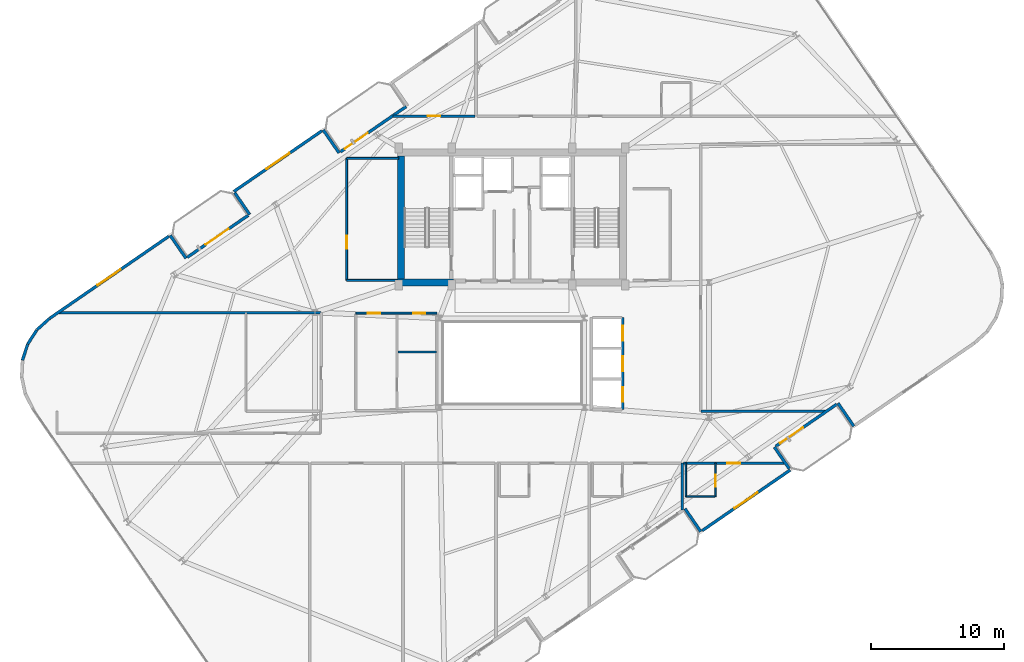
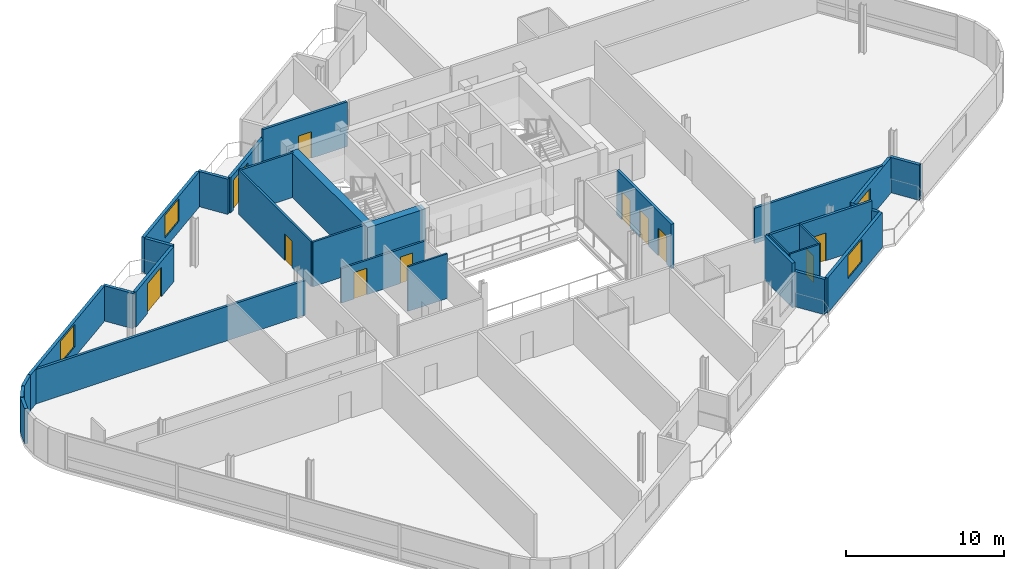
# One storey, part 15 of 21: 31 walls, 12 doors, 3 windows, 15 openings.
"""IFC4 building model written with IfcOpenShell, lengths in metres."""

from ifc_helpers import new_model, si_unit, direction, frame, frame_2d, origin, place, context, subcontext, project, spatial, rectangle, extrude, material, layer, layer_set, type_object, element, fill, save


model = new_model("IFC4")

# Units and contexts
model_context = context("Model", 3, precision=1e-05, world=origin(), true_north=direction((0.0, 1.0)))
body_context = subcontext(model_context, "Body", "Model", "MODEL_VIEW")
ifc_project = project(units=[si_unit("LENGTHUNIT", "METRE"), si_unit("AREAUNIT", "SQUARE_METRE"), si_unit("VOLUMEUNIT", "CUBIC_METRE"), si_unit("PLANEANGLEUNIT", "RADIAN"), si_unit("MASSUNIT", "GRAM", prefix="KILO")], contexts=[model_context])

# Site, building, storey
site_placement = place(None, origin())
site = spatial("IfcSite", under=ifc_project, at=site_placement, CompositionType="ELEMENT")
building_placement = place(site_placement, origin())
building = spatial("IfcBuilding", under=site, at=building_placement, Name="Varnelok Gate Tower", CompositionType="ELEMENT")
storey_placement = place(building_placement, frame((0.0, 0.0, 265.60009765625)))
storey = spatial("IfcBuildingStorey", under=building, at=storey_placement, Name="L68", CompositionType="ELEMENT", Elevation=265.60009765625)

# Wall, opening, door
ifc_material_1 = material(Name="Concrete C45/55", Category="concrete")
ifc_layer_1 = layer(ifc_material_1, 0.219970703125)
ifc_layer_set_1 = layer_set([ifc_layer_1], Name="Concrete C45/55")
wall_type_1 = type_object("IfcWallType", Name="EW-BALC-220", PredefinedType="SOLIDWALL", material=ifc_layer_set_1)
wall_1_placement = place(storey_placement, frame((63.60498046875, 19.780029296875, 0.0), z_axis=(0.0, 0.0, 1.0), x_axis=(-0.823541290762, -0.567256328665, 0.0)))
wall_1 = element("IfcWall", 1, at=wall_1_placement, inside=storey, type_object=wall_type_1, Name="L68 South Terrace Envelope Wall 3", PredefinedType="SOLIDWALL", context=body_context, shape_type="SweptSolid", body=[
    extrude(rectangle(XDim=5.567138671875, YDim=0.219970703125, at=frame_2d((2.78369140625, 0.0))), origin(), (0.0, 0.0, 1.0), 2.72998046875),
])
opening_1_placement = place(wall_1_placement, frame((3.067138671875, 0.0, 0.0)))
opening_1 = element("IfcOpeningElement", 2, at=opening_1_placement, cuts=wall_1, Name="Opening BD-2", PredefinedType="OPENING", context=body_context, shape_type="SweptSolid", body=[
    extrude(rectangle(XDim=2.10009765625, YDim=2.300048828125, at=frame_2d((1.050048828125, 1.14990234375))), frame((0.0, 0.119873046875, 0.0), z_axis=(0.0, -1.0, 0.0), x_axis=(1.0, 0.0, 0.0)), (0.0, 0.0, 1.0), 0.239990234375),
])
ifc_material_2 = material(Name="Anodized Aluminum Alloy 6063-T6", Category="aluminium")
door_type_1 = type_object("IfcDoorType", Name="DR-EXT-SLID2100", OperationType="SLIDING_TO_LEFT", PredefinedType="DOOR", material=ifc_material_2)
door_1_placement = place(opening_1_placement, origin())
door_1 = element("IfcDoor", 3, at=door_1_placement, inside=storey, type_object=door_type_1, Name="L68 South Balcony Glazed Door 3", OperationType="SLIDING_TO_LEFT", OverallHeight=2.300048828125, OverallWidth=2.10009765625, PredefinedType="DOOR", context=body_context, shape_type="SweptSolid", body=[
    extrude(rectangle(XDim=2.10009765625, YDim=2.300048828125, at=frame_2d((1.050048828125, 1.14990234375))), frame((0.0, 0.02490234375, 0.0), z_axis=(0.0, -1.0, 0.0), x_axis=(1.0, 0.0, 0.0)), (0.0, 0.0, 1.0), 0.050048828125),
])
fill(opening_1, door_1)

wall_2_placement = place(storey_placement, frame((14.794921875, 30.81982421875, 0.0), z_axis=(0.0, 0.0, 1.0), x_axis=(0.823541290762, 0.567256328665, 0.0)))
wall_2 = element("IfcWall", 4, at=wall_2_placement, inside=storey, type_object=wall_type_1, Name="L68 North Terrace Envelope Wall 4", PredefinedType="SOLIDWALL", context=body_context, shape_type="SweptSolid", body=[
    extrude(rectangle(XDim=5.567138671875, YDim=0.219970703125, at=frame_2d((2.78369140625, 0.0))), origin(), (0.0, 0.0, 1.0), 2.72998046875),
])
opening_2_placement = place(wall_2_placement, frame((1.68017578125, 0.0, 0.0)))
opening_2 = element("IfcOpeningElement", 5, at=opening_2_placement, cuts=wall_2, Name="Opening BD-2", PredefinedType="OPENING", context=body_context, shape_type="SweptSolid", body=[
    extrude(rectangle(XDim=2.10009765625, YDim=2.300048828125, at=frame_2d((1.050048828125, 1.14990234375))), frame((0.0, 0.119873046875, 0.0), z_axis=(0.0, -1.0, 0.0), x_axis=(1.0, 0.0, 0.0)), (0.0, 0.0, 1.0), 0.239990234375),
])
door_2_placement = place(opening_2_placement, origin())
door_2 = element("IfcDoor", 6, at=door_2_placement, inside=storey, type_object=door_type_1, Name="L68 North Balcony Glazed Door 4", OperationType="SLIDING_TO_LEFT", OverallHeight=2.300048828125, OverallWidth=2.10009765625, PredefinedType="DOOR", context=body_context, shape_type="SweptSolid", body=[
    extrude(rectangle(XDim=2.10009765625, YDim=2.300048828125, at=frame_2d((1.050048828125, 1.14990234375))), frame((0.0, 0.02490234375, 0.0), z_axis=(0.0, -1.0, 0.0), x_axis=(1.0, 0.0, 0.0)), (0.0, 0.0, 1.0), 0.050048828125),
])
fill(opening_2, door_2)

wall_3_placement = place(storey_placement, frame((26.29736328125, 38.742919921875, 0.0), z_axis=(0.0, 0.0, 1.0), x_axis=(0.823534636215, 0.567265989598, 0.0)))
wall_3 = element("IfcWall", 7, at=wall_3_placement, inside=storey, type_object=wall_type_1, Name="L68 North Terrace Envelope Wall 5", PredefinedType="SOLIDWALL", context=body_context, shape_type="SweptSolid", body=[
    extrude(rectangle(XDim=6.0, YDim=0.219970703125, at=frame_2d((3.0, 0.0))), origin(), (0.0, 0.0, 1.0), 2.72998046875),
])
opening_3_placement = place(wall_3_placement, frame((0.39990234375, 0.0, 0.0)))
opening_3 = element("IfcOpeningElement", 8, at=opening_3_placement, cuts=wall_3, Name="Opening BD-2", PredefinedType="OPENING", context=body_context, shape_type="SweptSolid", body=[
    extrude(rectangle(XDim=2.10009765625, YDim=2.300048828125, at=frame_2d((1.050048828125, 1.14990234375))), frame((0.0, 0.119873046875, 0.0), z_axis=(0.0, -1.0, 0.0), x_axis=(1.0, 0.0, 0.0)), (0.0, 0.0, 1.0), 0.239990234375),
])
door_3_placement = place(opening_3_placement, origin())
door_3 = element("IfcDoor", 9, at=door_3_placement, inside=storey, type_object=door_type_1, Name="L68 North Balcony Glazed Door 5", OperationType="SLIDING_TO_LEFT", OverallHeight=2.300048828125, OverallWidth=2.10009765625, PredefinedType="DOOR", context=body_context, shape_type="SweptSolid", body=[
    extrude(rectangle(XDim=2.10009765625, YDim=2.300048828125, at=frame_2d((1.050048828125, 1.14990234375))), frame((0.0, 0.02490234375, 0.0), z_axis=(0.0, -1.0, 0.0), x_axis=(1.0, 0.0, 0.0)), (0.0, 0.0, 1.0), 0.050048828125),
])
fill(opening_3, door_3)

# Wall
wall_4_placement = place(storey_placement, frame((52.19580078125, 11.933349609375, 0.0), z_axis=(0.0, 0.0, 1.0), x_axis=(0.56729822855, -0.823512428494, 0.0)))
element("IfcWall", 10, at=wall_4_placement, inside=storey, type_object=wall_type_1, Name="L68 Perimeter Facade Closure Wall 12", PredefinedType="SOLIDWALL", context=body_context, shape_type="SweptSolid", body=[
    extrude(rectangle(XDim=2.10009765625, YDim=0.219970703125, at=frame_2d((1.050048828125, 0.0))), origin(), (0.0, 0.0, 1.0), 2.72998046875),
])

# Wall, opening, window
wall_5_placement = place(storey_placement, frame((53.489990234375, 10.27490234375, 0.0), z_axis=(0.0, 0.0, 1.0), x_axis=(0.823530942962, 0.56727135128, 0.0)))
wall_5 = element("IfcWall", 11, at=wall_5_placement, inside=storey, type_object=wall_type_1, Name="L68 Perimeter Facade Closure Wall 13", PredefinedType="SOLIDWALL", context=body_context, shape_type="SweptSolid", body=[
    extrude(rectangle(XDim=8.03515625, YDim=0.219970703125, at=frame_2d((4.017578125, 0.0))), origin(), (0.0, 0.0, 1.0), 2.72998046875),
])
opening_4_placement = place(wall_5_placement, frame((2.967529296875, 0.0, 0.800048828125)))
opening_4 = element("IfcOpeningElement", 12, at=opening_4_placement, cuts=wall_5, Name="Opening WN4", PredefinedType="OPENING", context=body_context, shape_type="SweptSolid", body=[
    extrude(rectangle(XDim=2.10009765625, YDim=1.75, at=frame_2d((1.050048828125, 0.875))), frame((0.0, 0.119873046875, 0.0), z_axis=(0.0, -1.0, 0.0), x_axis=(1.0, 0.0, 0.0)), (0.0, 0.0, 1.0), 0.239990234375),
])
ifc_material_3 = material(Name="Low-E Laminated Double Glazing IGU", Category="glass")
window_type = type_object("IfcWindowType", Name="WN-SUI-2100", PartitioningType="SINGLE_PANEL", PredefinedType="WINDOW", material=ifc_material_3)
window_1_placement = place(opening_4_placement, origin())
window_1 = element("IfcWindow", 13, at=window_1_placement, inside=storey, type_object=window_type, Name="L68 Perimeter Vision Window 13", OverallHeight=1.75, OverallWidth=2.10009765625, PartitioningType="SINGLE_PANEL", PredefinedType="WINDOW", context=body_context, shape_type="SweptSolid", body=[
    extrude(rectangle(XDim=2.10009765625, YDim=1.75, at=frame_2d((1.050048828125, 0.875))), frame((0.0, 0.030029296875, 0.0), z_axis=(0.0, -1.0, 0.0), x_axis=(1.0, 0.0, 0.0)), (0.0, 0.0, 1.0), 0.06005859375),
])
fill(opening_4, window_1)

# Walls
wall_6_placement = place(storey_placement, frame((60.0361328125, 14.935791015625, 0.0), z_axis=(0.0, 0.0, 1.0), x_axis=(-0.567273565974, 0.823529417415, 0.0)))
element("IfcWall", 14, at=wall_6_placement, inside=storey, type_object=wall_type_1, Name="L68 Perimeter Facade Closure Wall 14", PredefinedType="SOLIDWALL", context=body_context, shape_type="SweptSolid", body=[
    extrude(rectangle(XDim=1.97509765625, YDim=0.219970703125, at=frame_2d((0.987548828125, 0.0))), origin(), (0.0, 0.0, 1.0), 2.72998046875),
])
for number, where, z_axis, x_axis, name in (
    (15, (63.6982421875, 19.8564453125, 0.0), (0.0, 0.0, 1.0), (0.567219383419, -0.823566737474, 0.0), "L68 Perimeter Facade Closure Wall 15"),
    (16, (26.2041015625, 38.66650390625, 0.0), (0.0, 0.0, 1.0), (-0.567219383419, 0.823566737474, 0.0), "L68 Perimeter Facade Closure Wall 34"),
):
    element("IfcWall", number, at=place(storey_placement, frame(where, z_axis=z_axis, x_axis=x_axis)), inside=storey, type_object=wall_type_1, Name=name, PredefinedType="SOLIDWALL", context=body_context, shape_type="SweptSolid", body=[
        extrude(rectangle(XDim=2.10009765625, YDim=0.219970703125, at=frame_2d((1.050048828125, 0.0))), origin(), (0.0, 0.0, 1.0), 2.72998046875),
    ])

# Wall, opening, window
wall_7_placement = place(storey_placement, frame((24.909912109375, 40.3251953125, 0.0), z_axis=(0.0, 0.0, 1.0), x_axis=(-0.823521165086, -0.56728554596, 0.0)))
wall_7 = element("IfcWall", 17, at=wall_7_placement, inside=storey, type_object=wall_type_1, Name="L68 Perimeter Facade Closure Wall 35", PredefinedType="SOLIDWALL", context=body_context, shape_type="SweptSolid", body=[
    extrude(rectangle(XDim=8.034912109375, YDim=0.219970703125, at=frame_2d((4.017578125, 0.0))), origin(), (0.0, 0.0, 1.0), 2.72998046875),
])
opening_5_placement = place(wall_7_placement, frame((2.967529296875, 0.0, 0.800048828125)))
opening_5 = element("IfcOpeningElement", 18, at=opening_5_placement, cuts=wall_7, Name="Opening WN4", PredefinedType="OPENING", context=body_context, shape_type="SweptSolid", body=[
    extrude(rectangle(XDim=2.10009765625, YDim=1.75, at=frame_2d((1.050048828125, 0.875))), frame((0.0, 0.119873046875, 0.0), z_axis=(0.0, -1.0, 0.0), x_axis=(1.0, 0.0, 0.0)), (0.0, 0.0, 1.0), 0.239990234375),
])
window_2_placement = place(opening_5_placement, origin())
window_2 = element("IfcWindow", 19, at=window_2_placement, inside=storey, type_object=window_type, Name="L68 Perimeter Vision Window 35", OverallHeight=1.75, OverallWidth=2.10009765625, PartitioningType="SINGLE_PANEL", PredefinedType="WINDOW", context=body_context, shape_type="SweptSolid", body=[
    extrude(rectangle(XDim=2.10009765625, YDim=1.75, at=frame_2d((1.050048828125, 0.875))), frame((0.0, 0.030029296875, 0.0), z_axis=(0.0, -1.0, 0.0), x_axis=(1.0, 0.0, 0.0)), (0.0, 0.0, 1.0), 0.06005859375),
])
fill(opening_5, window_2)

# Walls
wall_8_placement = place(storey_placement, frame((18.36376953125, 35.664306640625, 0.0), z_axis=(0.0, 0.0, 1.0), x_axis=(0.567215821234, -0.823569190865, 0.0)))
element("IfcWall", 20, at=wall_8_placement, inside=storey, type_object=wall_type_1, Name="L68 Perimeter Facade Closure Wall 36", PredefinedType="SOLIDWALL", context=body_context, shape_type="SweptSolid", body=[
    extrude(rectangle(XDim=1.97509765625, YDim=0.219970703125, at=frame_2d((0.987548828125, 0.0))), origin(), (0.0, 0.0, 1.0), 2.72998046875),
])
wall_9_placement = place(storey_placement, frame((14.701904296875, 30.74365234375, 0.0), z_axis=(0.0, 0.0, 1.0), x_axis=(-0.567352541689, 0.823475010816, 0.0)))
element("IfcWall", 21, at=wall_9_placement, inside=storey, type_object=wall_type_1, Name="L68 Perimeter Facade Closure Wall 37", PredefinedType="SOLIDWALL", context=body_context, shape_type="SweptSolid", body=[
    extrude(rectangle(XDim=2.099853515625, YDim=0.219970703125, at=frame_2d((1.0498046875, 0.0))), origin(), (0.0, 0.0, 1.0), 2.72998046875),
])

# Wall, opening, window
wall_10_placement = place(storey_placement, frame((13.40771484375, 32.402099609375, 0.0), z_axis=(0.0, 0.0, 1.0), x_axis=(-0.823527634633, -0.567276154087, 0.0)))
wall_10 = element("IfcWall", 22, at=wall_10_placement, inside=storey, type_object=wall_type_1, Name="L68 Perimeter Facade Closure Wall 38", PredefinedType="SOLIDWALL", context=body_context, shape_type="SweptSolid", body=[
    extrude(rectangle(XDim=10.88037109375, YDim=0.219970703125, at=frame_2d((5.440185546875, 0.0))), origin(), (0.0, 0.0, 1.0), 2.72998046875),
])
opening_6_placement = place(wall_10_placement, frame((4.39013671875, 0.0, 0.800048828125)))
opening_6 = element("IfcOpeningElement", 23, at=opening_6_placement, cuts=wall_10, Name="Opening WN4", PredefinedType="OPENING", context=body_context, shape_type="SweptSolid", body=[
    extrude(rectangle(XDim=2.10009765625, YDim=1.75, at=frame_2d((1.050048828125, 0.875))), frame((0.0, 0.119873046875, 0.0), z_axis=(0.0, -1.0, 0.0), x_axis=(1.0, 0.0, 0.0)), (0.0, 0.0, 1.0), 0.239990234375),
])
window_3_placement = place(opening_6_placement, origin())
window_3 = element("IfcWindow", 24, at=window_3_placement, inside=storey, type_object=window_type, Name="L68 Perimeter Vision Window 38", OverallHeight=1.75, OverallWidth=2.10009765625, PartitioningType="SINGLE_PANEL", PredefinedType="WINDOW", context=body_context, shape_type="SweptSolid", body=[
    extrude(rectangle(XDim=2.10009765625, YDim=1.75, at=frame_2d((1.050048828125, 0.875))), frame((0.0, 0.030029296875, 0.0), z_axis=(0.0, -1.0, 0.0), x_axis=(1.0, 0.0, 0.0)), (0.0, 0.0, 1.0), 0.06005859375),
])
fill(opening_6, window_3)

# Walls
wall_11_placement = place(storey_placement, frame((4.428955078125, 26.21337890625, 0.0), z_axis=(0.0, 0.0, 1.0), x_axis=(-0.742414330744, -0.669941013453, 0.0)))
element("IfcWall", 25, at=wall_11_placement, inside=storey, type_object=wall_type_1, Name="L68 Perimeter Facade Closure Wall 39", PredefinedType="SOLIDWALL", context=body_context, shape_type="SweptSolid", body=[
    extrude(rectangle(XDim=1.256591796875, YDim=0.219970703125, at=frame_2d((0.62841796875, 0.0))), origin(), (0.0, 0.0, 1.0), 2.72998046875),
])
for number, where, z_axis, x_axis, name in (
    (26, (3.482421875, 25.3505859375, 0.0), (0.0, 0.0, 1.0), (-0.543778157277, -0.839229000731, 0.0), "L68 Perimeter Facade Closure Wall 40"),
    (27, (2.7958984375, 24.27880859375, 0.0), (0.0, 0.0, 1.0), (-0.30817950344, -0.951328226039, 0.0), "L68 Perimeter Facade Closure Wall 41"),
):
    element("IfcWall", number, at=place(storey_placement, frame(where, z_axis=z_axis, x_axis=x_axis)), inside=storey, type_object=wall_type_1, Name=name, PredefinedType="SOLIDWALL", context=body_context, shape_type="SweptSolid", body=[
        extrude(rectangle(XDim=1.24853515625, YDim=0.219970703125, at=frame_2d((0.624267578125, 0.0))), origin(), (0.0, 0.0, 1.0), 2.72998046875),
    ])

# Wall, opening, door
ifc_material_4 = material(Name="Gypsum Plasterboard Acoustic Partition", Category="gypsum")
ifc_layer_2 = layer(ifc_material_4, 0.179931640625)
ifc_layer_set_2 = layer_set([ifc_layer_2], Name="Gypsum Plasterboard Acoustic Partition")
wall_type_2 = type_object("IfcWallType", Name="PW-CORR-180", PredefinedType="PARTITIONING", material=ifc_layer_set_2)
wall_12_placement = place(storey_placement, frame((52.080078125, 15.35009765625, 0.0), z_axis=(0.0, 0.0, 1.0), x_axis=(1.0, 0.0, 0.0)))
wall_12 = element("IfcWall", 28, at=wall_12_placement, inside=storey, type_object=wall_type_2, Name="Interior Partition", PredefinedType="PARTITIONING", context=body_context, shape_type="SweptSolid", body=[
    extrude(rectangle(XDim=7.646484375, YDim=0.179931640625, at=frame_2d((3.8232421875, 0.0))), origin(), (0.0, 0.0, 1.0), 3.449951171875),
])
opening_7_placement = place(wall_12_placement, frame((3.31103515625, 0.0, 0.0)))
opening_7 = element("IfcOpeningElement", 29, at=opening_7_placement, cuts=wall_12, Name="Opening D-HT", PredefinedType="OPENING", context=body_context, shape_type="SweptSolid", body=[
    extrude(rectangle(XDim=0.949951171875, YDim=2.14990234375, at=frame_2d((0.47509765625, 1.074951171875))), frame((0.0, 0.099853515625, 0.0), z_axis=(0.0, -1.0, 0.0), x_axis=(1.0, 0.0, 0.0)), (0.0, 0.0, 1.0), 0.199951171875),
])
ifc_material_5 = material(Name="Engineered Hardwood Timber", Category="wood")
door_type_2 = type_object("IfcDoorType", Name="DR-HTL-950", OperationType="NOTDEFINED", PredefinedType="DOOR", material=ifc_material_5)
door_4_placement = place(opening_7_placement, origin())
door_4 = element("IfcDoor", 30, at=door_4_placement, inside=storey, type_object=door_type_2, Name="L68 Guest Room 06 Entrance Door", OperationType="SINGLE_SWING_LEFT", OverallHeight=2.14990234375, OverallWidth=0.949951171875, PredefinedType="DOOR", context=body_context, shape_type="SweptSolid", body=[
    extrude(rectangle(XDim=0.949951171875, YDim=2.14990234375, at=frame_2d((0.47509765625, 1.074951171875))), frame((0.0, 0.02490234375, 0.0), z_axis=(0.0, -1.0, 0.0), x_axis=(1.0, 0.0, 0.0)), (0.0, 0.0, 1.0), 0.050048828125),
])
fill(opening_7, door_4)

wall_13_placement = place(storey_placement, frame((30.251220703125, 41.429931640625, 0.0), z_axis=(0.0, 0.0, 1.0), x_axis=(1.0, 0.0, 0.0)))
wall_13 = element("IfcWall", 31, at=wall_13_placement, inside=storey, type_object=wall_type_2, Name="Interior Partition", PredefinedType="PARTITIONING", context=body_context, shape_type="SweptSolid", body=[
    extrude(rectangle(XDim=6.168701171875, YDim=0.179931640625, at=frame_2d((3.08447265625, 0.0))), origin(), (0.0, 0.0, 1.0), 3.449951171875),
])
opening_8_placement = place(wall_13_placement, frame((2.609375, 0.0, 0.0)))
opening_8 = element("IfcOpeningElement", 32, at=opening_8_placement, cuts=wall_13, Name="Opening D-I2", PredefinedType="OPENING", context=body_context, shape_type="SweptSolid", body=[
    extrude(rectangle(XDim=0.949951171875, YDim=2.050048828125, at=frame_2d((0.47509765625, 1.02490234375))), frame((0.0, 0.099853515625, 0.0), z_axis=(0.0, -1.0, 0.0), x_axis=(1.0, 0.0, 0.0)), (0.0, 0.0, 1.0), 0.199951171875),
])
door_type_3 = type_object("IfcDoorType", Name="DR-INT-950", OperationType="NOTDEFINED", PredefinedType="DOOR", material=ifc_material_5)
door_5_placement = place(opening_8_placement, origin())
door_5 = element("IfcDoor", 33, at=door_5_placement, inside=storey, type_object=door_type_3, Name="L68 Private Owners Horizon Club Door", OperationType="SINGLE_SWING_LEFT", OverallHeight=2.050048828125, OverallWidth=0.949951171875, PredefinedType="DOOR", context=body_context, shape_type="SweptSolid", body=[
    extrude(rectangle(XDim=0.949951171875, YDim=2.050048828125, at=frame_2d((0.47509765625, 1.02490234375))), frame((0.0, 0.02490234375, 0.0), z_axis=(0.0, -1.0, 0.0), x_axis=(1.0, 0.0, 0.0)), (0.0, 0.0, 1.0), 0.050048828125),
])
fill(opening_8, door_5)

# Walls
wall_14_placement = place(storey_placement, frame((5.10693359375, 26.659912109375, 0.0), z_axis=(0.0, 0.0, 1.0), x_axis=(1.0, 0.0, 0.0)))
element("IfcWall", 34, at=wall_14_placement, inside=storey, type_object=wall_type_2, Name="Interior Partition", PredefinedType="PARTITIONING", context=body_context, shape_type="SweptSolid", body=[
    extrude(rectangle(XDim=19.7431640625, YDim=0.179931640625, at=frame_2d((9.87158203125, 0.0))), origin(), (0.0, 0.0, 1.0), 2.661865234375),
])
wall_15_placement = place(storey_placement, frame((53.389892578125, 19.239990234375, 0.0), z_axis=(0.0, 0.0, 1.0), x_axis=(1.0, 0.0, 0.0)))
element("IfcWall", 35, at=wall_15_placement, inside=storey, type_object=wall_type_2, Name="Interior Partition", PredefinedType="PARTITIONING", context=body_context, shape_type="SweptSolid", body=[
    extrude(rectangle(XDim=9.378173828125, YDim=0.179931640625, at=frame_2d((4.68896484375, 0.0))), origin(), (0.0, 0.0, 1.0), 2.739013671875),
])
ifc_layer_3 = layer(ifc_material_4, 0.114990234375)
ifc_layer_set_3 = layer_set([ifc_layer_3], Name="Gypsum Plasterboard Acoustic Partition")
wall_type_3 = type_object("IfcWallType", Name="PW-ENS-125", PredefinedType="PARTITIONING", material=ifc_layer_set_3)
wall_16_placement = place(storey_placement, frame((52.300048828125, 12.830078125, 0.0), z_axis=(0.0, 0.0, 1.0), x_axis=(1.0, 0.0, 0.0)))
element("IfcWall", 36, at=wall_16_placement, inside=storey, type_object=wall_type_3, Name="Interior Partition", PredefinedType="PARTITIONING", context=body_context, shape_type="SweptSolid", body=[
    extrude(rectangle(XDim=2.14990234375, YDim=0.114990234375, at=frame_2d((1.074951171875, 0.0))), origin(), (0.0, 0.0, 1.0), 3.449951171875),
])

# Wall, opening, door
wall_17_placement = place(storey_placement, frame((54.489990234375, 12.830078125, 0.0), z_axis=(0.0, 0.0, 1.0), x_axis=(0.0, 1.0, 0.0)))
wall_17 = element("IfcWall", 37, at=wall_17_placement, inside=storey, type_object=wall_type_3, Name="Interior Partition", PredefinedType="PARTITIONING", context=body_context, shape_type="SweptSolid", body=[
    extrude(rectangle(XDim=2.52001953125, YDim=0.114990234375, at=frame_2d((1.260009765625, 0.0))), origin(), (0.0, 0.0, 1.0), 3.449951171875),
])
opening_9_placement = place(wall_17_placement, frame((0.760009765625, 0.0, 0.0)))
opening_9 = element("IfcOpeningElement", 38, at=opening_9_placement, cuts=wall_17, Name="Opening D-WC", PredefinedType="OPENING", context=body_context, shape_type="SweptSolid", body=[
    extrude(rectangle(XDim=0.89990234375, YDim=2.050048828125, at=frame_2d((0.449951171875, 1.02490234375))), frame((0.0, 0.0673828125, 0.0), z_axis=(0.0, -1.0, 0.0), x_axis=(1.0, 0.0, 0.0)), (0.0, 0.0, 1.0), 0.135009765625),
])
door_type_4 = type_object("IfcDoorType", Name="DR-BATH-900", OperationType="NOTDEFINED", PredefinedType="DOOR", material=ifc_material_5)
door_6_placement = place(opening_9_placement, origin())
door_6 = element("IfcDoor", 39, at=door_6_placement, inside=storey, type_object=door_type_4, Name="L68 Guest En-Suite 06 Door", OperationType="SINGLE_SWING_LEFT", OverallHeight=2.050048828125, OverallWidth=0.89990234375, PredefinedType="DOOR", context=body_context, shape_type="SweptSolid", body=[
    extrude(rectangle(XDim=0.89990234375, YDim=2.050048828125, at=frame_2d((0.449951171875, 1.02490234375))), frame((0.0, 0.02490234375, 0.0), z_axis=(0.0, -1.0, 0.0), x_axis=(1.0, 0.0, 0.0)), (0.0, 0.0, 1.0), 0.050048828125),
])
fill(opening_9, door_6)

# Walls
wall_18_placement = place(storey_placement, frame((52.260009765625, 12.830078125, 0.0), z_axis=(0.0, 0.0, 1.0), x_axis=(0.0, 1.0, 0.0)))
element("IfcWall", 40, at=wall_18_placement, inside=storey, type_object=wall_type_3, Name="Interior Partition", PredefinedType="PARTITIONING", context=body_context, shape_type="SweptSolid", body=[
    extrude(rectangle(XDim=2.52001953125, YDim=0.114990234375, at=frame_2d((1.260009765625, 0.0))), origin(), (0.0, 0.0, 1.0), 3.449951171875),
])
ifc_layer_4 = layer(ifc_material_4, 0.125)
ifc_layer_set_4 = layer_set([ifc_layer_4], Name="Gypsum Plasterboard Acoustic Partition")
wall_type_4 = type_object("IfcWallType", Name="PW-PART-125", PredefinedType="PARTITIONING", material=ifc_layer_set_4)
wall_19_placement = place(storey_placement, frame((30.639892578125, 23.7099609375, 0.0), z_axis=(0.0, 0.0, 1.0), x_axis=(1.0, 0.0, 0.0)))
element("IfcWall", 41, at=wall_19_placement, inside=storey, type_object=wall_type_4, Name="Interior Partition", PredefinedType="PARTITIONING", context=body_context, shape_type="SweptSolid", body=[
    extrude(rectangle(XDim=2.880126953125, YDim=0.125, at=frame_2d((1.43994140625, 0.0))), origin(), (0.0, 0.0, 1.0), 3.449951171875),
])

# Wall, openings, doors
ifc_layer_5 = layer(ifc_material_4, 0.14990234375)
ifc_layer_set_5 = layer_set([ifc_layer_5], Name="Gypsum Plasterboard Acoustic Partition")
wall_type_5 = type_object("IfcWallType", Name="PW-PART-150", PredefinedType="PARTITIONING", material=ifc_layer_set_5)
wall_20_placement = place(storey_placement, frame((27.4599609375, 26.6201171875, 0.0), z_axis=(0.0, 0.0, 1.0), x_axis=(1.0, 0.0, 0.0)))
wall_20 = element("IfcWall", 42, at=wall_20_placement, inside=storey, type_object=wall_type_5, Name="Interior Partition", PredefinedType="PARTITIONING", context=body_context, shape_type="SweptSolid", body=[
    extrude(rectangle(XDim=6.10009765625, YDim=0.14990234375, at=frame_2d((3.050048828125, 0.0))), origin(), (0.0, 0.0, 1.0), 2.661865234375),
])
opening_10_placement = place(wall_20_placement, frame((0.89990234375, 0.0, 0.0)))
opening_10 = element("IfcOpeningElement", 43, at=opening_10_placement, cuts=wall_20, Name="Opening D-I2", PredefinedType="OPENING", context=body_context, shape_type="SweptSolid", body=[
    extrude(rectangle(XDim=0.949951171875, YDim=2.050048828125, at=frame_2d((0.47509765625, 1.02490234375))), frame((0.0, 0.0849609375, 0.0), z_axis=(0.0, -1.0, 0.0), x_axis=(1.0, 0.0, 0.0)), (0.0, 0.0, 1.0), 0.169921875),
])
opening_11_placement = place(wall_20_placement, frame((4.302978515625, 0.0, 0.0)))
opening_11 = element("IfcOpeningElement", 44, at=opening_11_placement, cuts=wall_20, Name="Opening D-WC", PredefinedType="OPENING", context=body_context, shape_type="SweptSolid", body=[
    extrude(rectangle(XDim=0.89990234375, YDim=2.050048828125, at=frame_2d((0.449951171875, 1.02490234375))), frame((0.0, 0.0849609375, 0.0), z_axis=(0.0, -1.0, 0.0), x_axis=(1.0, 0.0, 0.0)), (0.0, 0.0, 1.0), 0.169921875),
])
door_7_placement = place(opening_11_placement, origin())
door_7 = element("IfcDoor", 45, at=door_7_placement, inside=storey, type_object=door_type_4, Name="L68 Accessible Floor WC Door", OperationType="SINGLE_SWING_LEFT", OverallHeight=2.050048828125, OverallWidth=0.89990234375, PredefinedType="DOOR", context=body_context, shape_type="SweptSolid", body=[
    extrude(rectangle(XDim=0.89990234375, YDim=2.050048828125, at=frame_2d((0.449951171875, 1.02490234375))), frame((0.0, 0.02490234375, 0.0), z_axis=(0.0, -1.0, 0.0), x_axis=(1.0, 0.0, 0.0)), (0.0, 0.0, 1.0), 0.050048828125),
])
fill(opening_11, door_7)
door_8_placement = place(opening_10_placement, origin())
door_8 = element("IfcDoor", 46, at=door_8_placement, inside=storey, type_object=door_type_3, Name="L68 Sommelier Tasting Cellar Door", OperationType="SINGLE_SWING_RIGHT", OverallHeight=2.050048828125, OverallWidth=0.949951171875, PredefinedType="DOOR", context=body_context, shape_type="SweptSolid", body=[
    extrude(rectangle(XDim=0.949951171875, YDim=2.050048828125, at=frame_2d((0.47509765625, 1.02490234375))), frame((0.0, 0.02490234375, 0.0), z_axis=(0.0, -1.0, 0.0), x_axis=(1.0, 0.0, 0.0)), (0.0, 0.0, 1.0), 0.050048828125),
])
fill(opening_10, door_8)

# Walls
wall_21_placement = place(storey_placement, frame((26.780029296875, 29.080078125, 0.0), z_axis=(0.0, 0.0, 1.0), x_axis=(1.0, 0.0, 0.0)))
element("IfcWall", 47, at=wall_21_placement, inside=storey, type_object=wall_type_5, Name="Interior Partition", PredefinedType="PARTITIONING", context=body_context, shape_type="SweptSolid", body=[
    extrude(rectangle(XDim=3.800048828125, YDim=0.14990234375, at=frame_2d((1.89990234375, 0.0))), origin(), (0.0, 0.0, 1.0), 3.449951171875),
])
wall_22_placement = place(storey_placement, frame((26.780029296875, 38.260009765625, 0.0), z_axis=(0.0, 0.0, 1.0), x_axis=(1.0, 0.0, 0.0)))
element("IfcWall", 48, at=wall_22_placement, inside=storey, type_object=wall_type_5, Name="Interior Partition", PredefinedType="PARTITIONING", context=body_context, shape_type="SweptSolid", body=[
    extrude(rectangle(XDim=3.89990234375, YDim=0.14990234375, at=frame_2d((1.949951171875, 0.0))), origin(), (0.0, 0.0, 1.0), 3.449951171875),
])

# Wall, opening, door
wall_23_placement = place(storey_placement, frame((26.780029296875, 29.080078125, 0.0), z_axis=(0.0, 0.0, 1.0), x_axis=(0.0, 1.0, 0.0)))
wall_23 = element("IfcWall", 49, at=wall_23_placement, inside=storey, type_object=wall_type_5, Name="Interior Partition", PredefinedType="PARTITIONING", context=body_context, shape_type="SweptSolid", body=[
    extrude(rectangle(XDim=9.179931640625, YDim=0.14990234375, at=frame_2d((4.58984375, 0.0))), origin(), (0.0, 0.0, 1.0), 3.449951171875),
])
opening_12_placement = place(wall_23_placement, frame((2.39990234375, 0.0, 0.0)))
opening_12 = element("IfcOpeningElement", 50, at=opening_12_placement, cuts=wall_23, Name="Opening D-I2", PredefinedType="OPENING", context=body_context, shape_type="SweptSolid", body=[
    extrude(rectangle(XDim=0.949951171875, YDim=2.050048828125, at=frame_2d((0.47509765625, 1.02490234375))), frame((0.0, 0.0849609375, 0.0), z_axis=(0.0, -1.0, 0.0), x_axis=(1.0, 0.0, 0.0)), (0.0, 0.0, 1.0), 0.169921875),
])
door_9_placement = place(opening_12_placement, origin())
door_9 = element("IfcDoor", 51, at=door_9_placement, inside=storey, type_object=door_type_3, Name="L68 Reclaimed Housekeeping Door", OperationType="SINGLE_SWING_RIGHT", OverallHeight=2.050048828125, OverallWidth=0.949951171875, PredefinedType="DOOR", context=body_context, shape_type="SweptSolid", body=[
    extrude(rectangle(XDim=0.949951171875, YDim=2.050048828125, at=frame_2d((0.47509765625, 1.02490234375))), frame((0.0, 0.02490234375, 0.0), z_axis=(0.0, -1.0, 0.0), x_axis=(1.0, 0.0, 0.0)), (0.0, 0.0, 1.0), 0.050048828125),
])
fill(opening_12, door_9)

# Wall
ifc_layer_6 = layer(ifc_material_4, 0.205078125)
ifc_layer_set_6 = layer_set([ifc_layer_6], Name="Gypsum Plasterboard Acoustic Partition")
wall_type_6 = type_object("IfcWallType", Name="PW-PARTY-200", PredefinedType="PARTITIONING", material=ifc_layer_set_6)
wall_24_placement = place(storey_placement, frame((52.0, 11.82275390625, 0.0), z_axis=(0.0, 0.0, 1.0), x_axis=(0.0, 1.0, 0.0)))
element("IfcWall", 52, at=wall_24_placement, inside=storey, type_object=wall_type_6, Name="L68 South Party Wall 5", PredefinedType="PARTITIONING", context=body_context, shape_type="SweptSolid", body=[
    extrude(rectangle(XDim=3.52734375, YDim=0.205078125, at=frame_2d((1.763671875, 0.0))), origin(), (0.0, 0.0, 1.0), 3.449951171875),
])

# Wall, openings, doors
ifc_material_6 = material(Name="Concrete C35/45", Category="concrete")
ifc_layer_7 = layer(ifc_material_6, 0.199951171875)
ifc_layer_set_7 = layer_set([ifc_layer_7], Name="Concrete C35/45")
wall_type_7 = type_object("IfcWallType", Name="PW-SHAFT-200", PredefinedType="PARTITIONING", material=ifc_layer_set_7)
wall_25_placement = place(storey_placement, frame((47.52001953125, 19.3798828125, 0.0), z_axis=(0.0, 0.0, 1.0), x_axis=(0.0, 1.0, 0.0)))
wall_25 = element("IfcWall", 53, at=wall_25_placement, inside=storey, type_object=wall_type_7, Name="L68 PH Bank Front Wall", PredefinedType="PARTITIONING", context=body_context, shape_type="SweptSolid", body=[
    extrude(rectangle(XDim=6.900146484375, YDim=0.199951171875, at=frame_2d((3.4501953125, 0.0))), origin(), (0.0, 0.0, 1.0), 3.449951171875),
])
opening_13_placement = place(wall_25_placement, frame((0.590087890625, 0.0, 0.0)))
opening_13 = element("IfcOpeningElement", 54, at=opening_13_placement, cuts=wall_25, Name="Opening LD-PH1", PredefinedType="OPENING", context=body_context, shape_type="SweptSolid", body=[
    extrude(rectangle(XDim=1.10009765625, YDim=2.14990234375, at=frame_2d((0.550048828125, 1.074951171875))), frame((0.0, 0.10986328125, 0.0), z_axis=(0.0, -1.0, 0.0), x_axis=(1.0, 0.0, 0.0)), (0.0, 0.0, 1.0), 0.219970703125),
])
opening_14_placement = place(wall_25_placement, frame((2.889892578125, 0.0, 0.0)))
opening_14 = element("IfcOpeningElement", 55, at=opening_14_placement, cuts=wall_25, Name="Opening LD-PH2", PredefinedType="OPENING", context=body_context, shape_type="SweptSolid", body=[
    extrude(rectangle(XDim=1.10009765625, YDim=2.14990234375, at=frame_2d((0.550048828125, 1.074951171875))), frame((0.0, 0.10986328125, 0.0), z_axis=(0.0, -1.0, 0.0), x_axis=(1.0, 0.0, 0.0)), (0.0, 0.0, 1.0), 0.219970703125),
])
opening_15_placement = place(wall_25_placement, frame((5.18994140625, 0.0, 0.0)))
opening_15 = element("IfcOpeningElement", 56, at=opening_15_placement, cuts=wall_25, Name="Opening LD-PH3", PredefinedType="OPENING", context=body_context, shape_type="SweptSolid", body=[
    extrude(rectangle(XDim=1.10009765625, YDim=2.14990234375, at=frame_2d((0.550048828125, 1.074951171875))), frame((0.0, 0.10986328125, 0.0), z_axis=(0.0, -1.0, 0.0), x_axis=(1.0, 0.0, 0.0)), (0.0, 0.0, 1.0), 0.219970703125),
])
ifc_material_7 = material(Name="Galvanized Steel Grade S350GD", Category="steel")
door_type_5 = type_object("IfcDoorType", Name="DR-LIFT-PAX1100", OperationType="SLIDING_TO_LEFT", PredefinedType="DOOR", material=ifc_material_7)
door_10_placement = place(opening_13_placement, origin())
door_10 = element("IfcDoor", 57, at=door_10_placement, inside=storey, type_object=door_type_5, Name="L68 Passenger Lift Landing Door LD-PH1", OperationType="SLIDING_TO_LEFT", OverallHeight=2.14990234375, OverallWidth=1.10009765625, PredefinedType="DOOR", context=body_context, shape_type="SweptSolid", body=[
    extrude(rectangle(XDim=1.10009765625, YDim=2.14990234375, at=frame_2d((0.550048828125, 1.074951171875))), frame((0.0, 0.02490234375, 0.0), z_axis=(0.0, -1.0, 0.0), x_axis=(1.0, 0.0, 0.0)), (0.0, 0.0, 1.0), 0.050048828125),
])
fill(opening_13, door_10)
door_11_placement = place(opening_14_placement, origin())
door_11 = element("IfcDoor", 58, at=door_11_placement, inside=storey, type_object=door_type_5, Name="L68 Passenger Lift Landing Door LD-PH2", OperationType="SLIDING_TO_LEFT", OverallHeight=2.14990234375, OverallWidth=1.10009765625, PredefinedType="DOOR", context=body_context, shape_type="SweptSolid", body=[
    extrude(rectangle(XDim=1.10009765625, YDim=2.14990234375, at=frame_2d((0.550048828125, 1.074951171875))), frame((0.0, 0.02490234375, 0.0), z_axis=(0.0, -1.0, 0.0), x_axis=(1.0, 0.0, 0.0)), (0.0, 0.0, 1.0), 0.050048828125),
])
fill(opening_14, door_11)
door_12_placement = place(opening_15_placement, origin())
door_12 = element("IfcDoor", 59, at=door_12_placement, inside=storey, type_object=door_type_5, Name="L68 Passenger Lift Landing Door LD-PH3", OperationType="SLIDING_TO_LEFT", OverallHeight=2.14990234375, OverallWidth=1.10009765625, PredefinedType="DOOR", context=body_context, shape_type="SweptSolid", body=[
    extrude(rectangle(XDim=1.10009765625, YDim=2.14990234375, at=frame_2d((0.550048828125, 1.074951171875))), frame((0.0, 0.02490234375, 0.0), z_axis=(0.0, -1.0, 0.0), x_axis=(1.0, 0.0, 0.0)), (0.0, 0.0, 1.0), 0.050048828125),
])
fill(opening_15, door_12)

# Walls
ifc_material_8 = material(Name="Concrete C60/75", Category="concrete")
ifc_layer_8 = layer(ifc_material_8, 0.550048828125)
ifc_layer_set_8 = layer_set([ifc_layer_8], Name="Concrete C60/75")
wall_type_8 = type_object("IfcWallType", Name="SW-CORE-550", PredefinedType="SHEAR", material=ifc_layer_set_8)
wall_26_placement = place(storey_placement, frame((30.85498046875, 29.199951171875, 0.0), z_axis=(0.0, 0.0, 1.0), x_axis=(0.0, 1.0, 0.0)))
element("IfcWall", 60, at=wall_26_placement, inside=storey, type_object=wall_type_8, Name="L68 Rear Core West Shear Wall", PredefinedType="SHEAR", context=body_context, shape_type="SweptSolid", body=[
    extrude(rectangle(XDim=9.219970703125, YDim=0.550048828125, at=frame_2d((4.60986328125, 0.0))), origin(), (0.0, 0.0, 1.0), 3.449951171875),
])
wall_27_placement = place(storey_placement, frame((30.580078125, 28.925048828125, 0.0), z_axis=(0.0, 0.0, 1.0), x_axis=(1.0, 0.0, 0.0)))
element("IfcWall", 61, at=wall_27_placement, inside=storey, type_object=wall_type_8, Name="L68 Rear Core South-West Shear Wall", PredefinedType="SHEAR", context=body_context, shape_type="SweptSolid", body=[
    extrude(rectangle(XDim=4.219970703125, YDim=0.550048828125, at=frame_2d((2.10986328125, 0.0))), origin(), (0.0, 0.0, 1.0), 3.449951171875),
])

save(model, "model.ifc")
